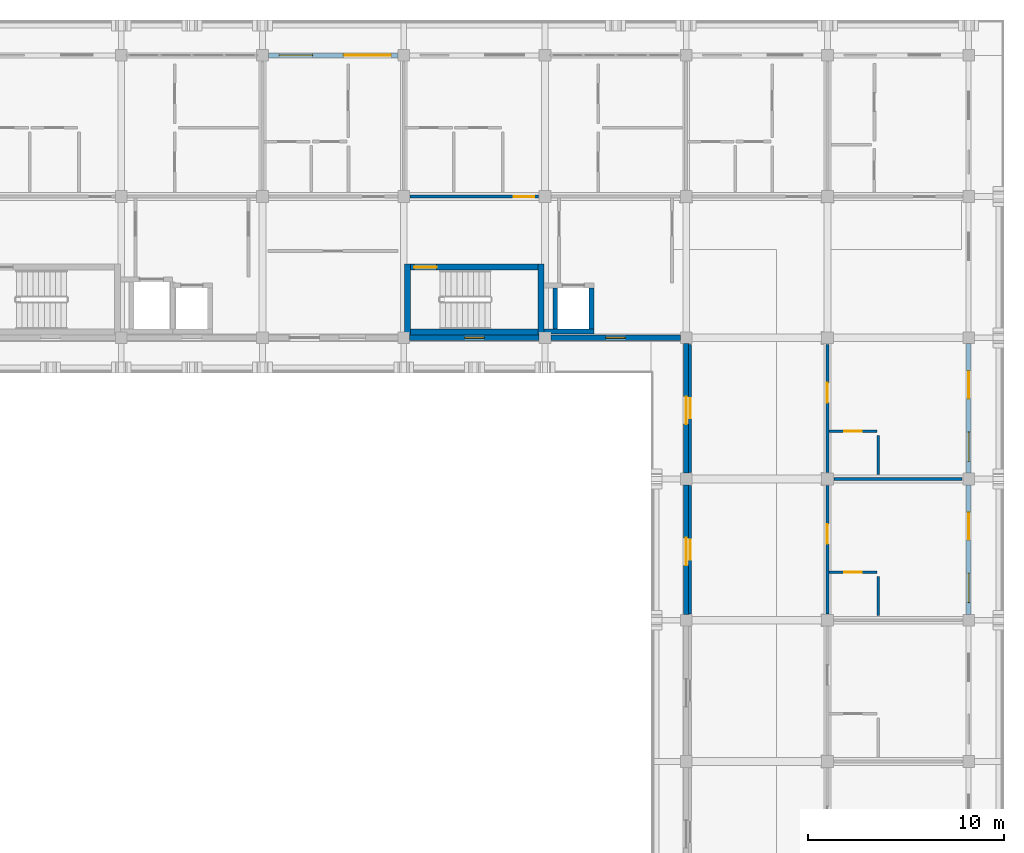
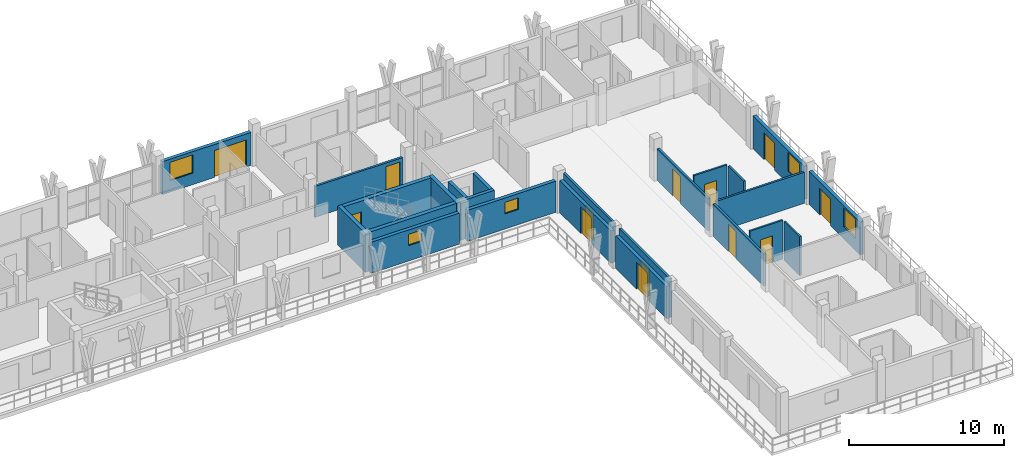
# One storey, part 56 of 75: 24 walls, 13 doors, 5 windows, 18 openings.
"""IFC4 building model written with IfcOpenShell, lengths in metres."""

import ifcopenshell
import ifcopenshell.guid

model = None  # the IFC model being written
_history = None  # IfcOwnerHistory: only IFC2X3 demands one
_inside = {}  # id of a spatial element -> (the spatial element, [elements in it])
_under = {}  # id of a project, library or spatial element -> (it, [spatial elements below it])
_declared = {}  # id of a project -> (the project, [libraries it declares])
_typed = {}  # id of a type object -> (the type object, [elements of that type])
_made_of = {}  # id of a material, layer set ... -> (it, [elements and type objects made of it])


def new_model(schema):
    """Start an empty IFC model of exactly this schema.

    Asked for "IFC4X3", IfcOpenShell would pick the latest addendum, in which some entities
    have other attributes; the version numbers below select the first issue.
    IFC2X3 requires an IfcOwnerHistory on every rooted entity: one is made here for all.
    """
    global model, _history
    if schema == "IFC4X3":
        model = ifcopenshell.file(schema_version=(4, 3, 0, 0))
    else:
        model = ifcopenshell.file(schema=schema)
    _inside.clear()
    _under.clear()
    _declared.clear()
    _typed.clear()
    _made_of.clear()
    _history = None
    if model.schema == "IFC2X3":
        org = make("IfcOrganization", Name="unknown")
        user = make(
            "IfcPersonAndOrganization",
            ThePerson=make("IfcPerson", FamilyName="unknown"),
            TheOrganization=org,
        )
        app = make(
            "IfcApplication",
            ApplicationDeveloper=org,
            Version="unknown",
            ApplicationFullName="unknown",
            ApplicationIdentifier="unknown",
        )
        _history = make(
            "IfcOwnerHistory",
            OwningUser=user,
            OwningApplication=app,
            ChangeAction="ADDED",
            CreationDate=0,
        )
    return model


def make(cls, **values):
    """One entity of the class cls with the attributes given. An attribute that is None is left unset."""
    return model.create_entity(
        cls, **{name: value for name, value in values.items() if value is not None}
    )


def rooted(cls, **values):
    """An entity with a GlobalId (a new one), such as an element, a storey or a relation."""
    return make(cls, GlobalId=ifcopenshell.guid.new(), OwnerHistory=_history, **values)


def si_unit(unit_type, name, prefix=None):
    """IfcSIUnit, for example si_unit("LENGTHUNIT", "METRE", prefix="MILLI")."""
    return make("IfcSIUnit", UnitType=unit_type, Prefix=prefix, Name=name)


def assignment(units):
    """IfcUnitAssignment: the units of a project."""
    return None if units is None else make("IfcUnitAssignment", Units=units)


def point(xyz):
    """IfcCartesianPoint."""
    return None if xyz is None else make("IfcCartesianPoint", Coordinates=xyz)


def direction(xyz):
    """IfcDirection."""
    return None if xyz is None else make("IfcDirection", DirectionRatios=xyz)


def frame(location, z_axis=None, x_axis=None):
    """IfcAxis2Placement3D, a coordinate frame: its origin and axes. An axis left out is left unset."""
    return make(
        "IfcAxis2Placement3D",
        Location=point(location),
        Axis=direction(z_axis),
        RefDirection=direction(x_axis),
    )


def frame_2d(location, x_axis=None):
    """IfcAxis2Placement2D, a coordinate frame in the plane: its origin and x axis."""
    return make(
        "IfcAxis2Placement2D", Location=point(location), RefDirection=direction(x_axis)
    )


def origin():
    """The frame at (0, 0, 0) with its axes left unset."""
    return frame((0.0, 0.0, 0.0))


def place(relative_to, where):
    """IfcLocalPlacement: puts the frame where relative to a parent placement (None: the world)."""
    return make(
        "IfcLocalPlacement", PlacementRelTo=relative_to, RelativePlacement=where
    )


def context(
    kind, dimensions, precision=None, world=None, true_north=None, identifier=None
):
    """IfcGeometricRepresentationContext, for example the 3D "Model" context."""
    return make(
        "IfcGeometricRepresentationContext",
        ContextIdentifier=identifier,
        ContextType=kind,
        CoordinateSpaceDimension=dimensions,
        Precision=precision,
        WorldCoordinateSystem=world,
        TrueNorth=true_north,
    )


def subcontext(parent, identifier, kind, view, scale=None):
    """IfcGeometricRepresentationSubContext, for example "Body" below "Model"."""
    return make(
        "IfcGeometricRepresentationSubContext",
        ContextIdentifier=identifier,
        ContextType=kind,
        ParentContext=parent,
        TargetScale=scale,
        TargetView=view,
    )


def project(units=None, contexts=None):
    """IfcProject with its units and contexts."""
    return rooted(
        "IfcProject",
        Name="project",
        RepresentationContexts=contexts,
        UnitsInContext=assignment(units),
    )


def spatial(cls, under=None, at=None, **own):
    """A site, building, storey or space (cls), placed at a placement, below another one or the project."""
    s = rooted(cls, ObjectPlacement=at, **own)
    if under is not None:
        _under.setdefault(under.id(), (under, []))[1].append(s)
    return s


def profile(cls, at=None, kind="AREA", **sizes):
    """A parametric profile (cls). Its sizes go by their IFC names, for example OverallWidth=200.0."""
    return make(cls, ProfileType=kind, Position=at, **sizes)


def rectangle(**sizes):
    """IfcRectangleProfileDef."""
    return profile("IfcRectangleProfileDef", **sizes)


def extrude(swept, where, along, depth):
    """IfcExtrudedAreaSolid: the profile swept, set in the frame where, extruded along a direction by depth."""
    return make(
        "IfcExtrudedAreaSolid",
        SweptArea=swept,
        Position=where,
        ExtrudedDirection=direction(along),
        Depth=depth,
    )


def shape(context_of_items, identifier, shape_type, items):
    """IfcShapeRepresentation: the items that make up one representation, for example the "Body"."""
    return make(
        "IfcShapeRepresentation",
        ContextOfItems=context_of_items,
        RepresentationIdentifier=identifier,
        RepresentationType=shape_type,
        Items=items,
    )


def material(Name=None, Category=None):
    """IfcMaterial."""
    return make("IfcMaterial", Name=Name, Category=Category)


def layer(
    of_material, thickness, ventilated=None, Name=None, Category=None, Priority=None
):
    """IfcMaterialLayer: one layer of a wall or slab, of a material (None: an air gap)."""
    return make(
        "IfcMaterialLayer",
        Material=of_material,
        LayerThickness=thickness,
        IsVentilated=ventilated,
        Name=Name,
        Category=Category,
        Priority=Priority,
    )


def layer_set(layers, Name=None):
    """IfcMaterialLayerSet."""
    return make("IfcMaterialLayerSet", MaterialLayers=layers, LayerSetName=Name)


def made_of(thing, what):
    """Note that an element or type object is made of a material, layer set ...; save() writes the relation."""
    if what is not None:
        _made_of.setdefault(what.id(), (what, []))[1].append(thing)
    return thing


def type_object(cls, material=None, **own):
    """A type object (cls), such as IfcWallType, which elements share."""
    return made_of(rooted(cls, **own), material)


def element(
    cls,
    number,
    at=None,
    inside=None,
    cuts=None,
    type_object=None,
    material=None,
    context=None,
    identifier="Body",
    shape_type=None,
    held_by="IfcProductDefinitionShape",
    body=None,
    shapes=None,
    **own,
):
    """One element of the class cls, such as IfcWall. Its Tag is "e" and its number.

    at: its placement. inside: the storey or other place that contains it. cuts: it is an
    opening in that element (IfcRelVoidsElement). A single representation is given by context,
    identifier, shape_type and body (its items); several are given by shapes. held_by: the class
    of the entity that holds the representations. save() writes the other relations.
    """
    e = rooted(cls, Tag="e%d" % number, ObjectPlacement=at, **own)
    if body is not None:
        shapes = [shape(context, identifier, shape_type, body)]
    if shapes is not None:
        e.Representation = make(held_by, Representations=shapes)
    if inside is not None:
        _inside.setdefault(inside.id(), (inside, []))[1].append(e)
    if cuts is not None:
        rooted(
            "IfcRelVoidsElement", RelatingBuildingElement=cuts, RelatedOpeningElement=e
        )
    if type_object is not None:
        _typed.setdefault(type_object.id(), (type_object, []))[1].append(e)
    return made_of(e, material)


def fill(opening, filler):
    """IfcRelFillsElement: the door or window that sits in an opening."""
    return rooted(
        "IfcRelFillsElement",
        RelatingOpeningElement=opening,
        RelatedBuildingElement=filler,
    )


def aggregate(whole, parts):
    """IfcRelAggregates: a whole, such as a stair, and the parts it consists of."""
    return rooted("IfcRelAggregates", RelatingObject=whole, RelatedObjects=parts)


def save(model, path):
    """Write the relations noted so far, then the file.

    IfcRelAggregates (storeys below a building ...), IfcRelContainedInSpatialStructure (elements
    in a storey), IfcRelDefinesByType, IfcRelAssociatesMaterial and IfcRelDeclares: one each for
    every whole, place, type object, material and project.
    """
    for whole, parts in _under.values():
        aggregate(whole, parts)
    for where, things in _inside.values():
        rooted(
            "IfcRelContainedInSpatialStructure",
            RelatedElements=things,
            RelatingStructure=where,
        )
    for kind, things in _typed.values():
        rooted("IfcRelDefinesByType", RelatedObjects=things, RelatingType=kind)
    for what, things in _made_of.values():
        rooted("IfcRelAssociatesMaterial", RelatedObjects=things, RelatingMaterial=what)
    for by, libraries in _declared.values():
        rooted("IfcRelDeclares", RelatingContext=by, RelatedDefinitions=libraries)
    model.write(path)


model = new_model("IFC4")

# Units and contexts
model_context = context("Model", 3, precision=1e-05, world=origin(), true_north=direction((0.0, 1.0)))
body_context = subcontext(model_context, "Body", "Model", "MODEL_VIEW")
ifc_project = project(units=[si_unit("LENGTHUNIT", "METRE"), si_unit("AREAUNIT", "SQUARE_METRE"), si_unit("VOLUMEUNIT", "CUBIC_METRE"), si_unit("PLANEANGLEUNIT", "RADIAN"), si_unit("MASSUNIT", "GRAM", prefix="KILO")], contexts=[model_context])

# Site, building, storey
site_placement = place(None, origin())
site = spatial("IfcSite", under=ifc_project, at=site_placement, CompositionType="ELEMENT")
building_placement = place(site_placement, origin())
building = spatial("IfcBuilding", under=site, at=building_placement, Name="Suanplinth Sawtooth Commons", CompositionType="ELEMENT")
storey_placement = place(building_placement, frame((0.0, 0.0, 18.60009765625)))
storey = spatial("IfcBuildingStorey", under=building, at=storey_placement, Name="L05", CompositionType="ELEMENT", Elevation=18.60009765625)

# Wall
ifc_material_1 = material(Name="Concrete C40/50", Category="concrete")
ifc_layer_1 = layer(ifc_material_1, 0.300048828125, Name="Standard RC stair and lift core wall 300mm")
ifc_layer_set_1 = layer_set([ifc_layer_1], Name="Concrete C40/50")
wall_type_1 = type_object("IfcWallType", Name="W-CR02", PredefinedType="SHEAR", material=ifc_layer_set_1)
wall_1_placement = place(storey_placement, frame((158.75, 108.300048828125, 0.0), z_axis=(0.0, 0.0, 1.0), x_axis=(1.0, 0.0, 0.0)))
element("IfcWall", 1, at=wall_1_placement, inside=storey, type_object=wall_type_1, Name="W-L05-C-B2-STS", PredefinedType="SHEAR", context=body_context, shape_type="SweptSolid", body=[
    extrude(rectangle(XDim=6.5, YDim=0.300048828125, at=frame_2d((3.25, 0.0))), origin(), (0.0, 0.0, 1.0), 3.059814453125),
])

# Wall, opening, door
wall_2_placement = place(storey_placement, frame((158.75, 111.60009765625, 0.0), z_axis=(0.0, 0.0, 1.0), x_axis=(1.0, 0.0, 0.0)))
wall_2 = element("IfcWall", 2, at=wall_2_placement, inside=storey, type_object=wall_type_1, Name="W-L05-C-B2-STN", PredefinedType="SHEAR", context=body_context, shape_type="SweptSolid", body=[
    extrude(rectangle(XDim=6.5, YDim=0.300048828125, at=frame_2d((3.25, 0.0))), origin(), (0.0, 0.0, 1.0), 3.059814453125),
])
opening_1_placement = place(wall_2_placement, frame((0.179931640625, 0.0, 0.0)))
opening_1 = element("IfcOpeningElement", 3, at=opening_1_placement, cuts=wall_2, Name="Opening FD0244", PredefinedType="OPENING", context=body_context, shape_type="SweptSolid", body=[
    extrude(rectangle(XDim=1.14990234375, YDim=2.199951171875, at=frame_2d((0.574951171875, 1.10009765625))), frame((0.0, 0.1650390625, 0.0), z_axis=(0.0, -1.0, 0.0), x_axis=(1.0, 0.0, 0.0)), (0.0, 0.0, 1.0), 0.329833984375),
])
ifc_material_2 = material(Name="Teak hardwood fire-rated door assembly", Category="wood")
door_type_1 = type_object("IfcDoorType", Name="FD-01", OperationType="NOTDEFINED", PredefinedType="DOOR", material=ifc_material_2)
door_1_placement = place(opening_1_placement, frame((1.14990234375, 0.0, 0.0), z_axis=(0.0, 0.0, 1.0), x_axis=(-1.0, 0.0, 0.0)))
door_1 = element("IfcDoor", 4, at=door_1_placement, inside=storey, type_object=door_type_1, Name="Exit Stair Fire Door FD0244", OperationType="SINGLE_SWING_LEFT", OverallHeight=2.199951171875, OverallWidth=1.14990234375, PredefinedType="DOOR", context=body_context, shape_type="SweptSolid", body=[
    extrude(rectangle(XDim=1.14990234375, YDim=2.199951171875, at=frame_2d((0.574951171875, 1.10009765625))), frame((0.0, 0.02490234375, 0.0), z_axis=(0.0, -1.0, 0.0), x_axis=(1.0, 0.0, 0.0)), (0.0, 0.0, 1.0), 0.050048828125),
])
fill(opening_1, door_1)

# Walls
for number, where, z_axis, x_axis, name in (
    (5, (158.60009765625, 108.14990234375, 0.0), (0.0, 0.0, 1.0), (0.0, 1.0, 0.0), "W-L05-C-B2-STW"),
    (6, (165.39990234375, 108.14990234375, 0.0), (0.0, 0.0, 1.0), (0.0, 1.0, 0.0), "W-L05-C-B2-STE"),
):
    element("IfcWall", number, at=place(storey_placement, frame(where, z_axis=z_axis, x_axis=x_axis)), inside=storey, type_object=wall_type_1, Name=name, PredefinedType="SHEAR", context=body_context, shape_type="SweptSolid", body=[
        extrude(rectangle(XDim=3.60009765625, YDim=0.300048828125, at=frame_2d((1.800048828125, 0.0))), origin(), (0.0, 0.0, 1.0), 3.059814453125),
    ])

# Wall, openings, door, window
ifc_material_3 = material(Name="Precast concrete C40/50", Category="concrete")
ifc_layer_2 = layer(ifc_material_3, 0.260009765625, Name="Insulated precast courtyard facade wall 260mm")
ifc_layer_set_2 = layer_set([ifc_layer_2], Name="Precast concrete C40/50")
wall_type_2 = type_object("IfcWallType", Name="W-EX02", PredefinedType="ELEMENTEDWALL", material=ifc_layer_set_2)
wall_3_placement = place(storey_placement, frame((151.5, 122.39990234375, 0.0), z_axis=(0.0, 0.0, 1.0), x_axis=(1.0, 0.0, 0.0)))
wall_3 = element("IfcWall", 7, at=wall_3_placement, inside=storey, type_object=wall_type_2, Name="Facade Wall W-L05-B-N-21-16", PredefinedType="ELEMENTEDWALL", context=body_context, shape_type="SweptSolid", body=[
    extrude(rectangle(XDim=6.60009765625, YDim=0.260009765625, at=frame_2d((3.300048828125, 0.0))), origin(), (0.0, 0.0, 1.0), 2.594970703125),
])
opening_2_placement = place(wall_3_placement, frame((3.85009765625, 0.0, 0.0)))
opening_2 = element("IfcOpeningElement", 8, at=opening_2_placement, cuts=wall_3, Name="Opening ED0428", PredefinedType="OPENING", context=body_context, shape_type="SweptSolid", body=[
    extrude(rectangle(XDim=2.39990234375, YDim=2.1201171875, at=frame_2d((1.199951171875, 1.06005859375))), frame((0.0, 0.14501953125, 0.0), z_axis=(0.0, -1.0, 0.0), x_axis=(1.0, 0.0, 0.0)), (0.0, 0.0, 1.0), 0.289794921875),
])
opening_3_placement = place(wall_3_placement, frame((0.550048828125, 0.0, 0.89990234375)))
opening_3 = element("IfcOpeningElement", 9, at=opening_3_placement, cuts=wall_3, Name="Opening W0519", PredefinedType="OPENING", context=body_context, shape_type="SweptSolid", body=[
    extrude(rectangle(XDim=1.699951171875, YDim=1.449951171875, at=frame_2d((0.85009765625, 0.72509765625))), frame((0.0, 0.14501953125, 0.0), z_axis=(0.0, -1.0, 0.0), x_axis=(1.0, 0.0, 0.0)), (0.0, 0.0, 1.0), 0.289794921875),
])
ifc_material_4 = material(Name="Anodized aluminium and low-E glass", Category="aluminium")
door_type_2 = type_object("IfcDoorType", Name="SD-04", OperationType="DOUBLE_DOOR_SLIDING", PredefinedType="DOOR", material=ifc_material_4)
door_2_placement = place(opening_2_placement, frame((2.39990234375, 0.0, 0.0), z_axis=(0.0, 0.0, 1.0), x_axis=(-1.0, 0.0, 0.0)))
door_2 = element("IfcDoor", 10, at=door_2_placement, inside=storey, type_object=door_type_2, Name="Balcony Sliding Door L05-B-21", OperationType="DOUBLE_DOOR_SLIDING", OverallHeight=2.1201171875, OverallWidth=2.39990234375, PredefinedType="DOOR", context=body_context, shape_type="SweptSolid", body=[
    extrude(rectangle(XDim=2.39990234375, YDim=2.1201171875, at=frame_2d((1.199951171875, 1.06005859375))), frame((0.0, 0.02490234375, 0.0), z_axis=(0.0, -1.0, 0.0), x_axis=(1.0, 0.0, 0.0)), (0.0, 0.0, 1.0), 0.050048828125),
])
fill(opening_2, door_2)
ifc_material_5 = material(Name="Thermally broken aluminium and low-E double glazing", Category="aluminium")
window_type_1 = type_object("IfcWindowType", Name="WN-15", PartitioningType="DOUBLE_PANEL_VERTICAL", PredefinedType="WINDOW", material=ifc_material_5)
window_1_placement = place(opening_3_placement, origin())
window_1 = element("IfcWindow", 11, at=window_1_placement, inside=storey, type_object=window_type_1, Name="Apartment Window L05-B-21", OverallHeight=1.449951171875, OverallWidth=1.699951171875, PartitioningType="DOUBLE_PANEL_VERTICAL", PredefinedType="WINDOW", context=body_context, shape_type="SweptSolid", body=[
    extrude(rectangle(XDim=1.699951171875, YDim=1.449951171875, at=frame_2d((0.85009765625, 0.72509765625))), frame((0.0, 0.030029296875, 0.0), z_axis=(0.0, -1.0, 0.0), x_axis=(1.0, 0.0, 0.0)), (0.0, 0.0, 1.0), 0.06005859375),
])
fill(opening_3, window_1)

# Wall, opening, window
wall_4_placement = place(storey_placement, frame((158.699951171875, 108.0, 0.0), z_axis=(0.0, 0.0, 1.0), x_axis=(1.0, 0.0, 0.0)))
wall_4 = element("IfcWall", 12, at=wall_4_placement, inside=storey, type_object=wall_type_2, Name="Facade Wall W-L05-B-S-22-15", PredefinedType="ELEMENTEDWALL", context=body_context, shape_type="SweptSolid", body=[
    extrude(rectangle(XDim=6.60009765625, YDim=0.260009765625, at=frame_2d((3.300048828125, 0.0))), origin(), (0.0, 0.0, 1.0), 2.44482421875),
])
opening_4_placement = place(wall_4_placement, frame((2.800048828125, 0.0, 1.199951171875)))
opening_4 = element("IfcOpeningElement", 13, at=opening_4_placement, cuts=wall_4, Name="Opening W0520", PredefinedType="OPENING", context=body_context, shape_type="SweptSolid", body=[
    extrude(rectangle(XDim=1.0, YDim=0.89990234375, at=frame_2d((0.5, 0.449951171875))), frame((0.0, 0.14501953125, 0.0), z_axis=(0.0, -1.0, 0.0), x_axis=(1.0, 0.0, 0.0)), (0.0, 0.0, 1.0), 0.289794921875),
])
window_type_2 = type_object("IfcWindowType", Name="WN-12", PartitioningType="SINGLE_PANEL", PredefinedType="WINDOW", material=ifc_material_5)
window_2_placement = place(opening_4_placement, origin())
window_2 = element("IfcWindow", 14, at=window_2_placement, inside=storey, type_object=window_type_2, Name="Core Daylight Window L05-B-22-15", OverallHeight=0.89990234375, OverallWidth=1.0, PartitioningType="SINGLE_PANEL", PredefinedType="WINDOW", context=body_context, shape_type="SweptSolid", body=[
    extrude(rectangle(XDim=1.0, YDim=0.89990234375, at=frame_2d((0.5, 0.449951171875))), frame((0.0, 0.030029296875, 0.0), z_axis=(0.0, -1.0, 0.0), x_axis=(1.0, 0.0, 0.0)), (0.0, 0.0, 1.0), 0.06005859375),
])
fill(opening_4, window_2)

wall_5_placement = place(storey_placement, frame((165.89990234375, 108.0, 0.0), z_axis=(0.0, 0.0, 1.0), x_axis=(1.0, 0.0, 0.0)))
wall_5 = element("IfcWall", 15, at=wall_5_placement, inside=storey, type_object=wall_type_2, Name="Facade Wall W-L05-B-S-23-15", PredefinedType="ELEMENTEDWALL", context=body_context, shape_type="SweptSolid", body=[
    extrude(rectangle(XDim=6.60009765625, YDim=0.260009765625, at=frame_2d((3.300048828125, 0.0))), origin(), (0.0, 0.0, 1.0), 2.44482421875),
])
opening_5_placement = place(wall_5_placement, frame((2.800048828125, 0.0, 1.199951171875)))
opening_5 = element("IfcOpeningElement", 16, at=opening_5_placement, cuts=wall_5, Name="Opening W0522", PredefinedType="OPENING", context=body_context, shape_type="SweptSolid", body=[
    extrude(rectangle(XDim=1.0, YDim=0.89990234375, at=frame_2d((0.5, 0.449951171875))), frame((0.0, 0.14501953125, 0.0), z_axis=(0.0, -1.0, 0.0), x_axis=(1.0, 0.0, 0.0)), (0.0, 0.0, 1.0), 0.289794921875),
])
window_3_placement = place(opening_5_placement, origin())
window_3 = element("IfcWindow", 17, at=window_3_placement, inside=storey, type_object=window_type_2, Name="Core Daylight Window L05-B-23-15", OverallHeight=0.89990234375, OverallWidth=1.0, PartitioningType="SINGLE_PANEL", PredefinedType="WINDOW", context=body_context, shape_type="SweptSolid", body=[
    extrude(rectangle(XDim=1.0, YDim=0.89990234375, at=frame_2d((0.5, 0.449951171875))), frame((0.0, 0.030029296875, 0.0), z_axis=(0.0, -1.0, 0.0), x_axis=(1.0, 0.0, 0.0)), (0.0, 0.0, 1.0), 0.06005859375),
])
fill(opening_5, window_3)

# Wall, opening, door
wall_6_placement = place(storey_placement, frame((172.800048828125, 93.89990234375, 0.0), z_axis=(0.0, 0.0, 1.0), x_axis=(0.0, 1.0, 0.0)))
wall_6 = element("IfcWall", 18, at=wall_6_placement, inside=storey, type_object=wall_type_2, Name="Facade Wall W-L05-B-W-24-13", PredefinedType="ELEMENTEDWALL", context=body_context, shape_type="SweptSolid", body=[
    extrude(rectangle(XDim=6.60009765625, YDim=0.260009765625, at=frame_2d((3.300048828125, 0.0))), origin(), (0.0, 0.0, 1.0), 2.544921875),
])
opening_6_placement = place(wall_6_placement, frame((2.5, 0.0, 0.0)))
opening_6 = element("IfcOpeningElement", 19, at=opening_6_placement, cuts=wall_6, Name="Opening ED0432", PredefinedType="OPENING", context=body_context, shape_type="SweptSolid", body=[
    extrude(rectangle(XDim=1.39990234375, YDim=2.10009765625, at=frame_2d((0.699951171875, 1.050048828125))), frame((0.0, 0.14501953125, 0.0), z_axis=(0.0, -1.0, 0.0), x_axis=(1.0, 0.0, 0.0)), (0.0, 0.0, 1.0), 0.289794921875),
])
door_type_3 = type_object("IfcDoorType", Name="SD-07", OperationType="SLIDING_TO_RIGHT", PredefinedType="DOOR", material=ifc_material_4)
door_3_placement = place(opening_6_placement, frame((1.39990234375, 0.0, 0.0), z_axis=(0.0, 0.0, 1.0), x_axis=(-1.0, 0.0, 0.0)))
door_3 = element("IfcDoor", 20, at=door_3_placement, inside=storey, type_object=door_type_3, Name="Courtyard Veranda Studio Balcony Door L05-B-13", OperationType="SLIDING_TO_RIGHT", OverallHeight=2.10009765625, OverallWidth=1.39990234375, PredefinedType="DOOR", context=body_context, shape_type="SweptSolid", body=[
    extrude(rectangle(XDim=1.39990234375, YDim=2.10009765625, at=frame_2d((0.699951171875, 1.050048828125))), frame((0.0, 0.02490234375, 0.0), z_axis=(0.0, -1.0, 0.0), x_axis=(1.0, 0.0, 0.0)), (0.0, 0.0, 1.0), 0.050048828125),
])
fill(opening_6, door_3)

wall_7_placement = place(storey_placement, frame((172.800048828125, 101.10009765625, 0.0), z_axis=(0.0, 0.0, 1.0), x_axis=(0.0, 1.0, 0.0)))
wall_7 = element("IfcWall", 21, at=wall_7_placement, inside=storey, type_object=wall_type_2, Name="Facade Wall W-L05-B-W-24-14", PredefinedType="ELEMENTEDWALL", context=body_context, shape_type="SweptSolid", body=[
    extrude(rectangle(XDim=6.599853515625, YDim=0.260009765625, at=frame_2d((3.2998046875, 0.0))), origin(), (0.0, 0.0, 1.0), 2.544921875),
])
opening_7_placement = place(wall_7_placement, frame((2.5, 0.0, 0.0)))
opening_7 = element("IfcOpeningElement", 22, at=opening_7_placement, cuts=wall_7, Name="Opening ED0433", PredefinedType="OPENING", context=body_context, shape_type="SweptSolid", body=[
    extrude(rectangle(XDim=1.39990234375, YDim=2.10009765625, at=frame_2d((0.699951171875, 1.050048828125))), frame((0.0, 0.14501953125, 0.0), z_axis=(0.0, -1.0, 0.0), x_axis=(1.0, 0.0, 0.0)), (0.0, 0.0, 1.0), 0.289794921875),
])
door_4_placement = place(opening_7_placement, frame((1.39990234375, 0.0, 0.0), z_axis=(0.0, 0.0, 1.0), x_axis=(-1.0, 0.0, 0.0)))
door_4 = element("IfcDoor", 23, at=door_4_placement, inside=storey, type_object=door_type_3, Name="Courtyard Veranda Studio Balcony Door L05-B-14", OperationType="SLIDING_TO_RIGHT", OverallHeight=2.10009765625, OverallWidth=1.39990234375, PredefinedType="DOOR", context=body_context, shape_type="SweptSolid", body=[
    extrude(rectangle(XDim=1.39990234375, YDim=2.10009765625, at=frame_2d((0.699951171875, 1.050048828125))), frame((0.0, 0.02490234375, 0.0), z_axis=(0.0, -1.0, 0.0), x_axis=(1.0, 0.0, 0.0)), (0.0, 0.0, 1.0), 0.050048828125),
])
fill(opening_7, door_4)

# Wall, openings, door, window
wall_8_placement = place(storey_placement, frame((187.199951171875, 93.89990234375, 0.0), z_axis=(0.0, 0.0, 1.0), x_axis=(0.0, 1.0, 0.0)))
wall_8 = element("IfcWall", 24, at=wall_8_placement, inside=storey, type_object=wall_type_2, Name="Facade Wall W-L05-B-E-25-13", PredefinedType="ELEMENTEDWALL", context=body_context, shape_type="SweptSolid", body=[
    extrude(rectangle(XDim=6.60009765625, YDim=0.260009765625, at=frame_2d((3.300048828125, 0.0))), origin(), (0.0, 0.0, 1.0), 2.594970703125),
])
opening_8_placement = place(wall_8_placement, frame((3.800048828125, 0.0, 0.0)))
opening_8 = element("IfcOpeningElement", 25, at=opening_8_placement, cuts=wall_8, Name="Opening ED0438", PredefinedType="OPENING", context=body_context, shape_type="SweptSolid", body=[
    extrude(rectangle(XDim=1.39990234375, YDim=2.10009765625, at=frame_2d((0.699951171875, 1.050048828125))), frame((0.0, 0.14501953125, 0.0), z_axis=(0.0, -1.0, 0.0), x_axis=(1.0, 0.0, 0.0)), (0.0, 0.0, 1.0), 0.289794921875),
])
opening_9_placement = place(wall_8_placement, frame((0.60009765625, 0.0, 0.949951171875)))
opening_9 = element("IfcOpeningElement", 26, at=opening_9_placement, cuts=wall_8, Name="Opening W0527", PredefinedType="OPENING", context=body_context, shape_type="SweptSolid", body=[
    extrude(rectangle(XDim=1.5, YDim=1.5, at=frame_2d((0.75, 0.75))), frame((0.0, 0.14501953125, 0.0), z_axis=(0.0, -1.0, 0.0), x_axis=(1.0, 0.0, 0.0)), (0.0, 0.0, 1.0), 0.289794921875),
])
door_5_placement = place(opening_8_placement, frame((1.39990234375, 0.0, 0.0), z_axis=(0.0, 0.0, 1.0), x_axis=(-1.0, 0.0, 0.0)))
door_5 = element("IfcDoor", 27, at=door_5_placement, inside=storey, type_object=door_type_3, Name="Wing Balcony Sliding Door L05-B-13", OperationType="SLIDING_TO_RIGHT", OverallHeight=2.10009765625, OverallWidth=1.39990234375, PredefinedType="DOOR", context=body_context, shape_type="SweptSolid", body=[
    extrude(rectangle(XDim=1.39990234375, YDim=2.10009765625, at=frame_2d((0.699951171875, 1.050048828125))), frame((0.0, 0.02490234375, 0.0), z_axis=(0.0, -1.0, 0.0), x_axis=(1.0, 0.0, 0.0)), (0.0, 0.0, 1.0), 0.050048828125),
])
fill(opening_8, door_5)
window_type_3 = type_object("IfcWindowType", Name="WN-02", PartitioningType="DOUBLE_PANEL_VERTICAL", PredefinedType="WINDOW", material=ifc_material_5)
window_4_placement = place(opening_9_placement, origin())
window_4 = element("IfcWindow", 28, at=window_4_placement, inside=storey, type_object=window_type_3, Name="Wing Window L05-B-13", OverallHeight=1.5, OverallWidth=1.5, PartitioningType="DOUBLE_PANEL_VERTICAL", PredefinedType="WINDOW", context=body_context, shape_type="SweptSolid", body=[
    extrude(rectangle(XDim=1.5, YDim=1.5, at=frame_2d((0.75, 0.75))), frame((0.0, 0.030029296875, 0.0), z_axis=(0.0, -1.0, 0.0), x_axis=(1.0, 0.0, 0.0)), (0.0, 0.0, 1.0), 0.06005859375),
])
fill(opening_9, window_4)

wall_9_placement = place(storey_placement, frame((187.199951171875, 101.10009765625, 0.0), z_axis=(0.0, 0.0, 1.0), x_axis=(0.0, 1.0, 0.0)))
wall_9 = element("IfcWall", 29, at=wall_9_placement, inside=storey, type_object=wall_type_2, Name="Facade Wall W-L05-B-E-25-14", PredefinedType="ELEMENTEDWALL", context=body_context, shape_type="SweptSolid", body=[
    extrude(rectangle(XDim=6.599853515625, YDim=0.260009765625, at=frame_2d((3.2998046875, 0.0))), origin(), (0.0, 0.0, 1.0), 2.594970703125),
])
opening_10_placement = place(wall_9_placement, frame((3.800048828125, 0.0, 0.0)))
opening_10 = element("IfcOpeningElement", 30, at=opening_10_placement, cuts=wall_9, Name="Opening ED0439", PredefinedType="OPENING", context=body_context, shape_type="SweptSolid", body=[
    extrude(rectangle(XDim=1.39990234375, YDim=2.10009765625, at=frame_2d((0.699951171875, 1.050048828125))), frame((0.0, 0.14501953125, 0.0), z_axis=(0.0, -1.0, 0.0), x_axis=(1.0, 0.0, 0.0)), (0.0, 0.0, 1.0), 0.289794921875),
])
opening_11_placement = place(wall_9_placement, frame((0.60009765625, 0.0, 0.949951171875)))
opening_11 = element("IfcOpeningElement", 31, at=opening_11_placement, cuts=wall_9, Name="Opening W0528", PredefinedType="OPENING", context=body_context, shape_type="SweptSolid", body=[
    extrude(rectangle(XDim=1.5, YDim=1.5, at=frame_2d((0.75, 0.75))), frame((0.0, 0.14501953125, 0.0), z_axis=(0.0, -1.0, 0.0), x_axis=(1.0, 0.0, 0.0)), (0.0, 0.0, 1.0), 0.289794921875),
])
door_6_placement = place(opening_10_placement, frame((1.39990234375, 0.0, 0.0), z_axis=(0.0, 0.0, 1.0), x_axis=(-1.0, 0.0, 0.0)))
door_6 = element("IfcDoor", 32, at=door_6_placement, inside=storey, type_object=door_type_3, Name="Wing Balcony Sliding Door L05-B-14", OperationType="SLIDING_TO_RIGHT", OverallHeight=2.10009765625, OverallWidth=1.39990234375, PredefinedType="DOOR", context=body_context, shape_type="SweptSolid", body=[
    extrude(rectangle(XDim=1.39990234375, YDim=2.10009765625, at=frame_2d((0.699951171875, 1.050048828125))), frame((0.0, 0.02490234375, 0.0), z_axis=(0.0, -1.0, 0.0), x_axis=(1.0, 0.0, 0.0)), (0.0, 0.0, 1.0), 0.050048828125),
])
fill(opening_10, door_6)
window_5_placement = place(opening_11_placement, origin())
window_5 = element("IfcWindow", 33, at=window_5_placement, inside=storey, type_object=window_type_3, Name="Wing Window L05-B-14", OverallHeight=1.5, OverallWidth=1.5, PartitioningType="DOUBLE_PANEL_VERTICAL", PredefinedType="WINDOW", context=body_context, shape_type="SweptSolid", body=[
    extrude(rectangle(XDim=1.5, YDim=1.5, at=frame_2d((0.75, 0.75))), frame((0.0, 0.030029296875, 0.0), z_axis=(0.0, -1.0, 0.0), x_axis=(1.0, 0.0, 0.0)), (0.0, 0.0, 1.0), 0.06005859375),
])
fill(opening_11, window_5)

# Wall, opening, door
ifc_layer_3 = layer(ifc_material_3, 0.159912109375, Name="Fire-rated corridor and lobby wall 160mm")
ifc_layer_set_3 = layer_set([ifc_layer_3], Name="Precast concrete C40/50")
wall_type_3 = type_object("IfcWallType", Name="W-FW01", PredefinedType="PARTITIONING", material=ifc_layer_set_3)
wall_10_placement = place(storey_placement, frame((158.72998046875, 115.199951171875, 0.0), z_axis=(0.0, 0.0, 1.0), x_axis=(1.0, 0.0, 0.0)))
wall_10 = element("IfcWall", 34, at=wall_10_placement, inside=storey, type_object=wall_type_3, Name="W-B-L05-U05-COR-S1", PredefinedType="PARTITIONING", context=body_context, shape_type="SweptSolid", body=[
    extrude(rectangle(XDim=6.5400390625, YDim=0.159912109375, at=frame_2d((3.27001953125, 0.0))), origin(), (0.0, 0.0, 1.0), 2.44482421875),
])
opening_12_placement = place(wall_10_placement, frame((5.27490234375, 0.0, 0.0)))
opening_12 = element("IfcOpeningElement", 35, at=opening_12_placement, cuts=wall_10, Name="Opening FD1264", PredefinedType="OPENING", context=body_context, shape_type="SweptSolid", body=[
    extrude(rectangle(XDim=1.050048828125, YDim=2.14990234375, at=frame_2d((0.52490234375, 1.074951171875))), frame((0.0, 0.0947265625, 0.0), z_axis=(0.0, -1.0, 0.0), x_axis=(1.0, 0.0, 0.0)), (0.0, 0.0, 1.0), 0.189697265625),
])
door_type_4 = type_object("IfcDoorType", Name="FD-04", OperationType="NOTDEFINED", PredefinedType="DOOR", material=ifc_material_2)
door_7_placement = place(opening_12_placement, origin())
door_7 = element("IfcDoor", 36, at=door_7_placement, inside=storey, type_object=door_type_4, Name="Unit Entrance Door FD1264", OperationType="SINGLE_SWING_RIGHT", OverallHeight=2.14990234375, OverallWidth=1.050048828125, PredefinedType="DOOR", context=body_context, shape_type="SweptSolid", body=[
    extrude(rectangle(XDim=1.050048828125, YDim=2.14990234375, at=frame_2d((0.52490234375, 1.074951171875))), frame((0.0, 0.02490234375, 0.0), z_axis=(0.0, -1.0, 0.0), x_axis=(1.0, 0.0, 0.0)), (0.0, 0.0, 1.0), 0.050048828125),
])
fill(opening_12, door_7)

wall_11_placement = place(storey_placement, frame((180.0, 93.929931640625, 0.0), z_axis=(0.0, 0.0, 1.0), x_axis=(0.0, 1.0, 0.0)))
wall_11 = element("IfcWall", 37, at=wall_11_placement, inside=storey, type_object=wall_type_3, Name="W-B-L05-L03-COR", PredefinedType="PARTITIONING", context=body_context, shape_type="SweptSolid", body=[
    extrude(rectangle(XDim=6.5400390625, YDim=0.159912109375, at=frame_2d((3.27001953125, 0.0))), origin(), (0.0, 0.0, 1.0), 2.544921875),
])
opening_13_placement = place(wall_11_placement, frame((3.570068359375, 0.0, 0.0)))
opening_13 = element("IfcOpeningElement", 38, at=opening_13_placement, cuts=wall_11, Name="Opening FD1285", PredefinedType="OPENING", context=body_context, shape_type="SweptSolid", body=[
    extrude(rectangle(XDim=1.0, YDim=2.14990234375, at=frame_2d((0.5, 1.074951171875))), frame((0.0, 0.0947265625, 0.0), z_axis=(0.0, -1.0, 0.0), x_axis=(1.0, 0.0, 0.0)), (0.0, 0.0, 1.0), 0.189697265625),
])
door_type_5 = type_object("IfcDoorType", Name="FD-03", OperationType="NOTDEFINED", PredefinedType="DOOR", material=ifc_material_2)
door_8_placement = place(opening_13_placement, frame((1.0, 0.0, 0.0), z_axis=(0.0, 0.0, 1.0), x_axis=(-1.0, 0.0, 0.0)))
door_8 = element("IfcDoor", 39, at=door_8_placement, inside=storey, type_object=door_type_5, Name="Wing Unit Entrance Door FD1285", OperationType="SINGLE_SWING_LEFT", OverallHeight=2.14990234375, OverallWidth=1.0, PredefinedType="DOOR", context=body_context, shape_type="SweptSolid", body=[
    extrude(rectangle(XDim=1.0, YDim=2.14990234375, at=frame_2d((0.5, 1.074951171875))), frame((0.0, 0.02490234375, 0.0), z_axis=(0.0, -1.0, 0.0), x_axis=(1.0, 0.0, 0.0)), (0.0, 0.0, 1.0), 0.050048828125),
])
fill(opening_13, door_8)

wall_12_placement = place(storey_placement, frame((173.0, 93.929931640625, 0.0), z_axis=(0.0, 0.0, 1.0), x_axis=(0.0, 1.0, 0.0)))
wall_12 = element("IfcWall", 40, at=wall_12_placement, inside=storey, type_object=wall_type_3, Name="W-B-L05-LEGCOURTROOM-38-COR", PredefinedType="PARTITIONING", context=body_context, shape_type="SweptSolid", body=[
    extrude(rectangle(XDim=6.5400390625, YDim=0.159912109375, at=frame_2d((3.27001953125, 0.0))), origin(), (0.0, 0.0, 1.0), 3.059814453125),
])
opening_14_placement = place(wall_12_placement, frame((2.760009765625, 0.0, 0.0)))
opening_14 = element("IfcOpeningElement", 41, at=opening_14_placement, cuts=wall_12, Name="Opening D1287", PredefinedType="OPENING", context=body_context, shape_type="SweptSolid", body=[
    extrude(rectangle(XDim=1.02001953125, YDim=2.179931640625, at=frame_2d((0.510009765625, 1.08984375))), frame((0.0, 0.0947265625, 0.0), z_axis=(0.0, -1.0, 0.0), x_axis=(1.0, 0.0, 0.0)), (0.0, 0.0, 1.0), 0.189697265625),
])
ifc_material_6 = material(Name="Teak hardwood", Category="wood")
door_type_6 = type_object("IfcDoorType", Name="D-16", OperationType="NOTDEFINED", PredefinedType="DOOR", material=ifc_material_6)
door_9_placement = place(opening_14_placement, origin())
door_9 = element("IfcDoor", 42, at=door_9_placement, inside=storey, type_object=door_type_6, Name="Veranda Studio Door D1287", OperationType="SINGLE_SWING_LEFT", OverallHeight=2.179931640625, OverallWidth=1.02001953125, PredefinedType="DOOR", context=body_context, shape_type="SweptSolid", body=[
    extrude(rectangle(XDim=1.02001953125, YDim=2.179931640625, at=frame_2d((0.510009765625, 1.08984375))), frame((0.0, 0.02490234375, 0.0), z_axis=(0.0, -1.0, 0.0), x_axis=(1.0, 0.0, 0.0)), (0.0, 0.0, 1.0), 0.050048828125),
])
fill(opening_14, door_9)

wall_13_placement = place(storey_placement, frame((180.0, 101.1298828125, 0.0), z_axis=(0.0, 0.0, 1.0), x_axis=(0.0, 1.0, 0.0)))
wall_13 = element("IfcWall", 43, at=wall_13_placement, inside=storey, type_object=wall_type_3, Name="W-B-L05-L04-COR", PredefinedType="PARTITIONING", context=body_context, shape_type="SweptSolid", body=[
    extrude(rectangle(XDim=6.5400390625, YDim=0.159912109375, at=frame_2d((3.27001953125, 0.0))), origin(), (0.0, 0.0, 1.0), 2.544921875),
])
opening_15_placement = place(wall_13_placement, frame((3.570068359375, 0.0, 0.0)))
opening_15 = element("IfcOpeningElement", 44, at=opening_15_placement, cuts=wall_13, Name="Opening FD1288", PredefinedType="OPENING", context=body_context, shape_type="SweptSolid", body=[
    extrude(rectangle(XDim=1.0, YDim=2.14990234375, at=frame_2d((0.5, 1.074951171875))), frame((0.0, 0.0947265625, 0.0), z_axis=(0.0, -1.0, 0.0), x_axis=(1.0, 0.0, 0.0)), (0.0, 0.0, 1.0), 0.189697265625),
])
door_10_placement = place(opening_15_placement, frame((1.0, 0.0, 0.0), z_axis=(0.0, 0.0, 1.0), x_axis=(-1.0, 0.0, 0.0)))
door_10 = element("IfcDoor", 45, at=door_10_placement, inside=storey, type_object=door_type_5, Name="Wing Unit Entrance Door FD1288", OperationType="SINGLE_SWING_RIGHT", OverallHeight=2.14990234375, OverallWidth=1.0, PredefinedType="DOOR", context=body_context, shape_type="SweptSolid", body=[
    extrude(rectangle(XDim=1.0, YDim=2.14990234375, at=frame_2d((0.5, 1.074951171875))), frame((0.0, 0.02490234375, 0.0), z_axis=(0.0, -1.0, 0.0), x_axis=(1.0, 0.0, 0.0)), (0.0, 0.0, 1.0), 0.050048828125),
])
fill(opening_15, door_10)

wall_14_placement = place(storey_placement, frame((173.0, 101.1298828125, 0.0), z_axis=(0.0, 0.0, 1.0), x_axis=(0.0, 1.0, 0.0)))
wall_14 = element("IfcWall", 46, at=wall_14_placement, inside=storey, type_object=wall_type_3, Name="W-B-L05-LEGCOURTROOM-40-COR", PredefinedType="PARTITIONING", context=body_context, shape_type="SweptSolid", body=[
    extrude(rectangle(XDim=6.5400390625, YDim=0.159912109375, at=frame_2d((3.27001953125, 0.0))), origin(), (0.0, 0.0, 1.0), 3.059814453125),
])
opening_16_placement = place(wall_14_placement, frame((2.760009765625, 0.0, 0.0)))
opening_16 = element("IfcOpeningElement", 47, at=opening_16_placement, cuts=wall_14, Name="Opening D1290", PredefinedType="OPENING", context=body_context, shape_type="SweptSolid", body=[
    extrude(rectangle(XDim=1.02001953125, YDim=2.179931640625, at=frame_2d((0.510009765625, 1.08984375))), frame((0.0, 0.0947265625, 0.0), z_axis=(0.0, -1.0, 0.0), x_axis=(1.0, 0.0, 0.0)), (0.0, 0.0, 1.0), 0.189697265625),
])
door_11_placement = place(opening_16_placement, origin())
door_11 = element("IfcDoor", 48, at=door_11_placement, inside=storey, type_object=door_type_6, Name="Veranda Studio Door D1290", OperationType="SINGLE_SWING_RIGHT", OverallHeight=2.179931640625, OverallWidth=1.02001953125, PredefinedType="DOOR", context=body_context, shape_type="SweptSolid", body=[
    extrude(rectangle(XDim=1.02001953125, YDim=2.179931640625, at=frame_2d((0.510009765625, 1.08984375))), frame((0.0, 0.02490234375, 0.0), z_axis=(0.0, -1.0, 0.0), x_axis=(1.0, 0.0, 0.0)), (0.0, 0.0, 1.0), 0.050048828125),
])
fill(opening_16, door_11)

# Wall
ifc_layer_4 = layer(ifc_material_3, 0.14990234375, Name="Acoustic precast party demising wall 150mm")
ifc_layer_set_4 = layer_set([ifc_layer_4], Name="Precast concrete C40/50")
wall_type_4 = type_object("IfcWallType", Name="W-FW02", PredefinedType="PARTITIONING", material=ifc_layer_set_4)
wall_15_placement = place(storey_placement, frame((180.330078125, 100.800048828125, 0.0), z_axis=(0.0, 0.0, 1.0), x_axis=(1.0, 0.0, 0.0)))
element("IfcWall", 49, at=wall_15_placement, inside=storey, type_object=wall_type_4, Name="W-B-L05-L03-PTY", PredefinedType="PARTITIONING", context=body_context, shape_type="SweptSolid", body=[
    extrude(rectangle(XDim=6.5400390625, YDim=0.14990234375, at=frame_2d((3.27001953125, 0.0))), origin(), (0.0, 0.0, 1.0), 2.44482421875),
])

# Wall, opening, door
ifc_material_7 = material(Name="Gypsum plasterboard on steel stud", Category="steel")
ifc_layer_5 = layer(ifc_material_7, 0.1298828125, Name="Moisture-resistant bathroom partition 130mm")
ifc_layer_set_5 = layer_set([ifc_layer_5], Name="Gypsum plasterboard on steel stud")
wall_type_5 = type_object("IfcWallType", Name="W-PT02", PredefinedType="PARTITIONING", material=ifc_layer_set_5)
wall_16_placement = place(storey_placement, frame((180.080078125, 96.044921875, 0.0), z_axis=(0.0, 0.0, 1.0), x_axis=(1.0, 0.0, 0.0)))
wall_16 = element("IfcWall", 50, at=wall_16_placement, inside=storey, type_object=wall_type_5, Name="W-B-L05-L03-BTH1", PredefinedType="PARTITIONING", context=body_context, shape_type="SweptSolid", body=[
    extrude(rectangle(XDim=2.449951171875, YDim=0.1298828125, at=frame_2d((1.22509765625, 0.0))), origin(), (0.0, 0.0, 1.0), 3.059814453125),
])
opening_17_placement = place(wall_16_placement, frame((0.77490234375, 0.0, 0.0)))
opening_17 = element("IfcOpeningElement", 51, at=opening_17_placement, cuts=wall_16, Name="Opening D1286", PredefinedType="OPENING", context=body_context, shape_type="SweptSolid", body=[
    extrude(rectangle(XDim=0.89990234375, YDim=2.10009765625, at=frame_2d((0.449951171875, 1.050048828125))), frame((0.0, 0.079833984375, 0.0), z_axis=(0.0, -1.0, 0.0), x_axis=(1.0, 0.0, 0.0)), (0.0, 0.0, 1.0), 0.15966796875),
])
door_type_7 = type_object("IfcDoorType", Name="D-01", OperationType="NOTDEFINED", PredefinedType="DOOR", material=ifc_material_6)
door_12_placement = place(opening_17_placement, frame((0.89990234375, 0.0, 0.0), z_axis=(0.0, 0.0, 1.0), x_axis=(-1.0, 0.0, 0.0)))
door_12 = element("IfcDoor", 52, at=door_12_placement, inside=storey, type_object=door_type_7, Name="Bathroom Door D1286", OperationType="SINGLE_SWING_RIGHT", OverallHeight=2.10009765625, OverallWidth=0.89990234375, PredefinedType="DOOR", context=body_context, shape_type="SweptSolid", body=[
    extrude(rectangle(XDim=0.89990234375, YDim=2.10009765625, at=frame_2d((0.449951171875, 1.050048828125))), frame((0.0, 0.02490234375, 0.0), z_axis=(0.0, -1.0, 0.0), x_axis=(1.0, 0.0, 0.0)), (0.0, 0.0, 1.0), 0.050048828125),
])
fill(opening_17, door_12)

# Wall
wall_17_placement = place(storey_placement, frame((182.594970703125, 93.830078125, 0.0), z_axis=(0.0, 0.0, 1.0), x_axis=(0.0, 1.0, 0.0)))
element("IfcWall", 53, at=wall_17_placement, inside=storey, type_object=wall_type_5, Name="W-B-L05-L03-BTH2", PredefinedType="PARTITIONING", context=body_context, shape_type="SweptSolid", body=[
    extrude(rectangle(XDim=2.0, YDim=0.1298828125, at=frame_2d((1.0, 0.0))), origin(), (0.0, 0.0, 1.0), 3.059814453125),
])

# Wall, opening, door
wall_18_placement = place(storey_placement, frame((180.080078125, 103.2451171875, 0.0), z_axis=(0.0, 0.0, 1.0), x_axis=(1.0, 0.0, 0.0)))
wall_18 = element("IfcWall", 54, at=wall_18_placement, inside=storey, type_object=wall_type_5, Name="W-B-L05-L04-BTH1", PredefinedType="PARTITIONING", context=body_context, shape_type="SweptSolid", body=[
    extrude(rectangle(XDim=2.449951171875, YDim=0.1298828125, at=frame_2d((1.22509765625, 0.0))), origin(), (0.0, 0.0, 1.0), 3.059814453125),
])
opening_18_placement = place(wall_18_placement, frame((0.77490234375, 0.0, 0.0)))
opening_18 = element("IfcOpeningElement", 55, at=opening_18_placement, cuts=wall_18, Name="Opening D1289", PredefinedType="OPENING", context=body_context, shape_type="SweptSolid", body=[
    extrude(rectangle(XDim=0.89990234375, YDim=2.10009765625, at=frame_2d((0.449951171875, 1.050048828125))), frame((0.0, 0.079833984375, 0.0), z_axis=(0.0, -1.0, 0.0), x_axis=(1.0, 0.0, 0.0)), (0.0, 0.0, 1.0), 0.15966796875),
])
door_13_placement = place(opening_18_placement, frame((0.89990234375, 0.0, 0.0), z_axis=(0.0, 0.0, 1.0), x_axis=(-1.0, 0.0, 0.0)))
door_13 = element("IfcDoor", 56, at=door_13_placement, inside=storey, type_object=door_type_7, Name="Bathroom Door D1289", OperationType="SINGLE_SWING_LEFT", OverallHeight=2.10009765625, OverallWidth=0.89990234375, PredefinedType="DOOR", context=body_context, shape_type="SweptSolid", body=[
    extrude(rectangle(XDim=0.89990234375, YDim=2.10009765625, at=frame_2d((0.449951171875, 1.050048828125))), frame((0.0, 0.02490234375, 0.0), z_axis=(0.0, -1.0, 0.0), x_axis=(1.0, 0.0, 0.0)), (0.0, 0.0, 1.0), 0.050048828125),
])
fill(opening_18, door_13)

# Walls
wall_19_placement = place(storey_placement, frame((182.594970703125, 101.030029296875, 0.0), z_axis=(0.0, 0.0, 1.0), x_axis=(0.0, 1.0, 0.0)))
element("IfcWall", 57, at=wall_19_placement, inside=storey, type_object=wall_type_5, Name="W-B-L05-L04-BTH2", PredefinedType="PARTITIONING", context=body_context, shape_type="SweptSolid", body=[
    extrude(rectangle(XDim=2.0, YDim=0.1298828125, at=frame_2d((1.0, 0.0))), origin(), (0.0, 0.0, 1.0), 3.059814453125),
])
ifc_layer_6 = layer(ifc_material_3, 0.25, Name="Precast structural shear wall 250mm")
ifc_layer_set_6 = layer_set([ifc_layer_6], Name="Precast concrete C40/50")
wall_type_6 = type_object("IfcWallType", Name="W-SH01", PredefinedType="SHEAR", material=ifc_layer_set_6)
wall_20_placement = place(storey_placement, frame((165.550048828125, 108.324951171875, 0.0), z_axis=(0.0, 0.0, 1.0), x_axis=(1.0, 0.0, 0.0)))
element("IfcWall", 58, at=wall_20_placement, inside=storey, type_object=wall_type_6, Name="W-L05-LF4-S", PredefinedType="SHEAR", context=body_context, shape_type="SweptSolid", body=[
    extrude(rectangle(XDim=2.550048828125, YDim=0.25, at=frame_2d((1.27490234375, 0.0))), origin(), (0.0, 0.0, 1.0), 3.059814453125),
])
for number, where, z_axis, x_axis, name in (
    (59, (166.125, 108.449951171875, 0.0), (0.0, 0.0, 1.0), (0.0, 1.0, 0.0), "W-L05-LF4-W"),
    (60, (167.97509765625, 108.449951171875, 0.0), (0.0, 0.0, 1.0), (0.0, 1.0, 0.0), "W-L05-LF4-E"),
):
    element("IfcWall", number, at=place(storey_placement, frame(where, z_axis=z_axis, x_axis=x_axis)), inside=storey, type_object=wall_type_6, Name=name, PredefinedType="SHEAR", context=body_context, shape_type="SweptSolid", body=[
        extrude(rectangle(XDim=2.10009765625, YDim=0.25, at=frame_2d((1.050048828125, 0.0))), origin(), (0.0, 0.0, 1.0), 3.059814453125),
    ])

save(model, "model.ifc")
